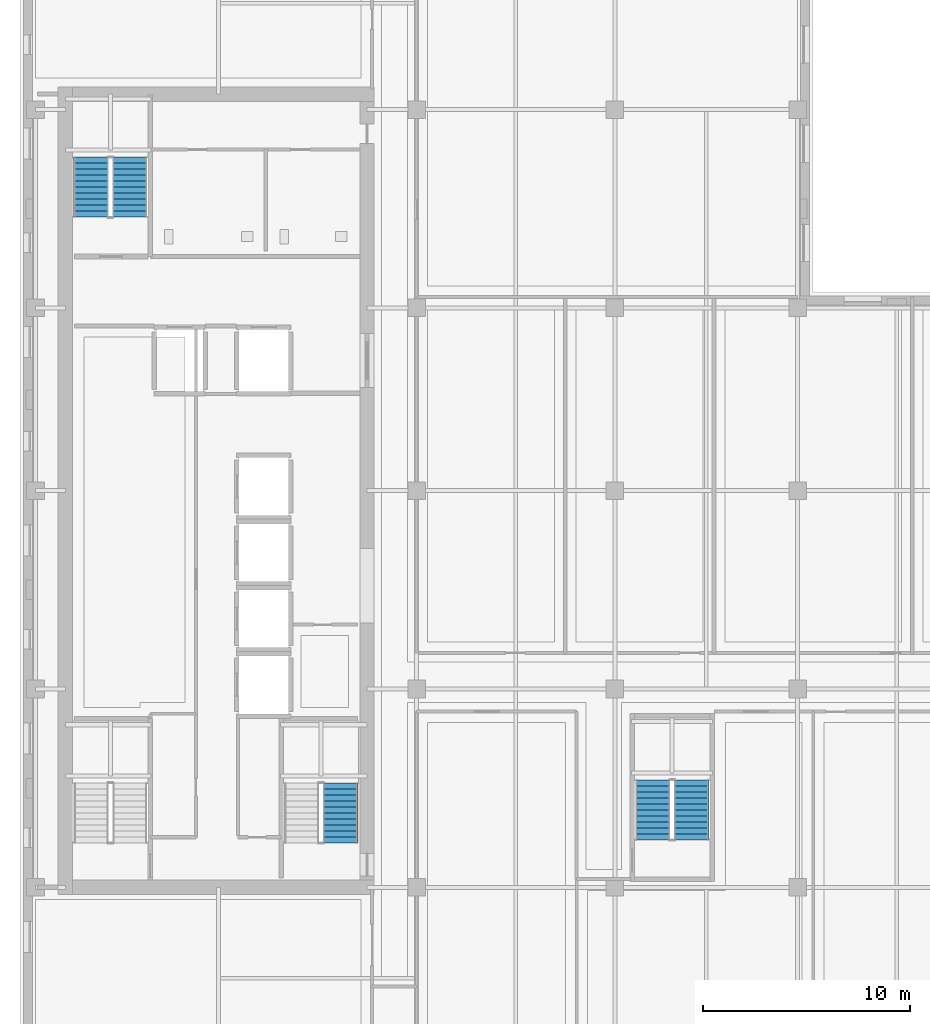
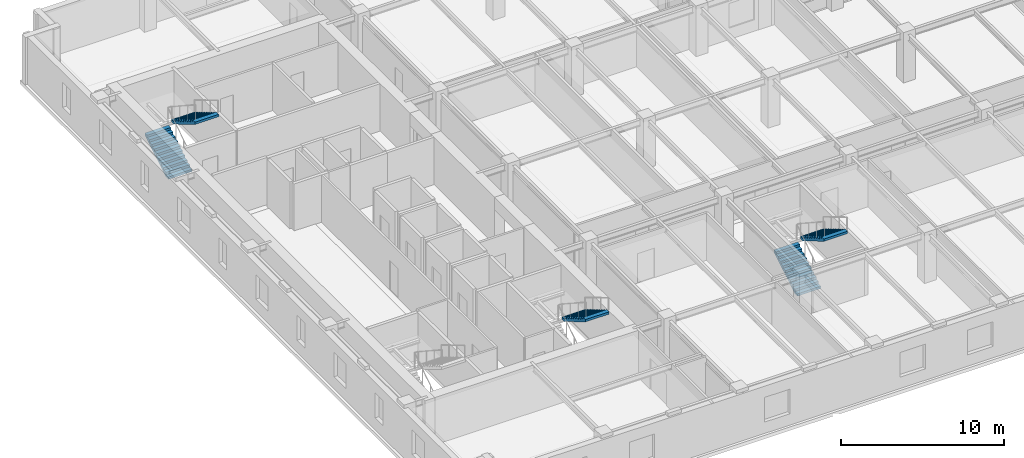
# One storey, part 7 of 11: 5 stair flights, 3 elements without a shape of their own.
"""IFC4 building model written with IfcOpenShell, lengths in metres."""

from ifc_helpers import new_model, si_unit, direction, frame, origin, place, context, subcontext, project, spatial, polyline, outline, extrude, material, type_object, element, aggregate, save


model = new_model("IFC4")

# Units and contexts
model_context = context("Model", 3, precision=1e-05, world=origin(), true_north=direction((0.0, 1.0)))
body_context = subcontext(model_context, "Body", "Model", "MODEL_VIEW")
ifc_project = project(units=[si_unit("LENGTHUNIT", "METRE"), si_unit("AREAUNIT", "SQUARE_METRE"), si_unit("VOLUMEUNIT", "CUBIC_METRE"), si_unit("PLANEANGLEUNIT", "RADIAN"), si_unit("MASSUNIT", "GRAM", prefix="KILO")], contexts=[model_context])

# Site, building, storey
site_placement = place(None, origin())
site = spatial("IfcSite", under=ifc_project, at=site_placement, CompositionType="ELEMENT")
building_placement = place(site_placement, origin())
building = spatial("IfcBuilding", under=site, at=building_placement, Name="Norrvale University Quadrangle", CompositionType="ELEMENT")
storey_placement = place(building_placement, frame((0.0, 0.0, 206.60009765625)))
storey = spatial("IfcBuildingStorey", under=building, at=storey_placement, Name="L52", CompositionType="ELEMENT", Elevation=206.60009765625)

# Stair, stair flights
ifc_material = material(Name="Concrete C40/50", Category="concrete")
stair_type = type_object("IfcStairType", Name="Stair Tower Typ 3800", PredefinedType="TWO_STRAIGHT_RUN_STAIR", material=ifc_material)
stair_1_placement = place(storey_placement, origin())
stair_1 = element("IfcStair", 1, at=stair_1_placement, inside=storey, type_object=stair_type, Name="Exit Stair ST-02 L52", PredefinedType="TWO_STRAIGHT_RUN_STAIR")
stair_flight_type = type_object("IfcStairFlightType", Name="Flight Typ 1500", PredefinedType="STRAIGHT", material=ifc_material)
stair_flight_1_placement = place(storey_placement, frame((3.429931640625, 42.050048828125, 0.0), z_axis=(0.0, 0.0, 1.0), x_axis=(0.0, 1.0, 0.0)))
stair_flight_1 = element("IfcStairFlight", 2, at=stair_flight_1_placement, type_object=stair_flight_type, Name="Exit Stair ST-02 L52 Lower Flight", NumberOfRisers=11, NumberOfTreads=10, PredefinedType="STRAIGHT", RiserHeight=0.172727, TreadLength=0.29, context=body_context, shape_type="SweptSolid", body=[
    extrude(outline(polyline([(0.0, 0.0), (0.0, 0.172607421875), (0.2900390625, 0.172607421875), (0.2900390625, 0.345458984375), (0.580078125, 0.345458984375), (0.580078125, 0.51806640625), (0.8701171875, 0.51806640625), (0.8701171875, 0.69091796875), (1.159912109375, 0.69091796875), (1.159912109375, 0.863525390625), (1.449951171875, 0.863525390625), (1.449951171875, 1.036376953125), (1.739990234375, 1.036376953125), (1.739990234375, 1.208984375), (2.030029296875, 1.208984375), (2.030029296875, 1.3818359375), (2.320068359375, 1.3818359375), (2.320068359375, 1.554443359375), (2.610107421875, 1.554443359375), (2.610107421875, 1.727294921875), (2.89990234375, 1.727294921875), (2.89990234375, 1.89990234375), (2.89990234375, 1.552734375), (0.29296875, 0.0), (0.0, 0.0)])), frame((0.0, 0.83984375, 0.0), z_axis=(0.0, -1.0, 0.0), x_axis=(1.0, 0.0, 0.0)), (0.0, 0.0, 1.0), 1.679931640625),
])
stair_flight_2_placement = place(storey_placement, frame((5.320068359375, 44.949951171875, 1.89990234375), z_axis=(0.0, 0.0, 1.0), x_axis=(0.0, -1.0, 0.0)))
stair_flight_2 = element("IfcStairFlight", 3, at=stair_flight_2_placement, type_object=stair_flight_type, Name="Exit Stair ST-02 L52 Upper Flight", NumberOfRisers=11, NumberOfTreads=10, PredefinedType="STRAIGHT", RiserHeight=0.172727, TreadLength=0.29, context=body_context, shape_type="SweptSolid", body=[
    extrude(outline(polyline([(0.0, 0.0), (0.0, 0.172607421875), (0.2900390625, 0.172607421875), (0.2900390625, 0.345458984375), (0.580078125, 0.345458984375), (0.580078125, 0.51806640625), (0.8701171875, 0.51806640625), (0.8701171875, 0.69091796875), (1.159912109375, 0.69091796875), (1.159912109375, 0.863525390625), (1.449951171875, 0.863525390625), (1.449951171875, 1.036376953125), (1.739990234375, 1.036376953125), (1.739990234375, 1.208984375), (2.030029296875, 1.208984375), (2.030029296875, 1.3818359375), (2.320068359375, 1.3818359375), (2.320068359375, 1.554443359375), (2.610107421875, 1.554443359375), (2.610107421875, 1.727294921875), (2.89990234375, 1.727294921875), (2.89990234375, 1.89990234375), (2.89990234375, 1.552734375), (0.29296875, 0.0), (0.0, 0.0)])), frame((0.0, 0.83984375, 0.0), z_axis=(0.0, -1.0, 0.0), x_axis=(1.0, 0.0, 0.0)), (0.0, 0.0, 1.0), 1.679931640625),
])
aggregate(stair_1, [stair_flight_1, stair_flight_2])

# Stair, stair flight
stair_2_placement = place(storey_placement, origin())
stair_2 = element("IfcStair", 4, at=stair_2_placement, inside=storey, type_object=stair_type, Name="Exit Stair ST-03 L52", PredefinedType="TWO_STRAIGHT_RUN_STAIR")
stair_flight_3_placement = place(storey_placement, frame((15.52001953125, 14.64990234375, 1.89990234375), z_axis=(0.0, 0.0, 1.0), x_axis=(0.0, -1.0, 0.0)))
stair_flight_3 = element("IfcStairFlight", 5, at=stair_flight_3_placement, type_object=stair_flight_type, Name="Exit Stair ST-03 L52 Upper Flight", NumberOfRisers=11, NumberOfTreads=10, PredefinedType="STRAIGHT", RiserHeight=0.172727, TreadLength=0.29, context=body_context, shape_type="SweptSolid", body=[
    extrude(outline(polyline([(0.0, 0.0), (0.0, 0.172607421875), (0.2900390625, 0.172607421875), (0.2900390625, 0.345458984375), (0.580078125, 0.345458984375), (0.580078125, 0.51806640625), (0.8701171875, 0.51806640625), (0.8701171875, 0.69091796875), (1.159912109375, 0.69091796875), (1.159912109375, 0.863525390625), (1.449951171875, 0.863525390625), (1.449951171875, 1.036376953125), (1.739990234375, 1.036376953125), (1.739990234375, 1.208984375), (2.030029296875, 1.208984375), (2.030029296875, 1.3818359375), (2.320068359375, 1.3818359375), (2.320068359375, 1.554443359375), (2.610107421875, 1.554443359375), (2.610107421875, 1.727294921875), (2.89990234375, 1.727294921875), (2.89990234375, 1.89990234375), (2.89990234375, 1.552734375), (0.29296875, 0.0), (0.0, 0.0)])), frame((0.0, 0.83984375, 0.0), z_axis=(0.0, -1.0, 0.0), x_axis=(1.0, 0.0, 0.0)), (0.0, 0.0, 1.0), 1.679931640625),
])
aggregate(stair_2, [stair_flight_3])

# Stair, stair flights
stair_3_placement = place(storey_placement, origin())
stair_3 = element("IfcStair", 6, at=stair_3_placement, inside=storey, type_object=stair_type, Name="Exit Stair ST-04 L52", PredefinedType="TWO_STRAIGHT_RUN_STAIR")
stair_flight_4_placement = place(storey_placement, frame((30.6298828125, 11.89990234375, 0.0), z_axis=(0.0, 0.0, 1.0), x_axis=(0.0, 1.0, 0.0)))
stair_flight_4 = element("IfcStairFlight", 7, at=stair_flight_4_placement, type_object=stair_flight_type, Name="Exit Stair ST-04 L52 Lower Flight", NumberOfRisers=11, NumberOfTreads=10, PredefinedType="STRAIGHT", RiserHeight=0.172727, TreadLength=0.29, context=body_context, shape_type="SweptSolid", body=[
    extrude(outline(polyline([(0.0, 0.0), (0.0, 0.172607421875), (0.2900390625, 0.172607421875), (0.2900390625, 0.345458984375), (0.580078125, 0.345458984375), (0.580078125, 0.51806640625), (0.8701171875, 0.51806640625), (0.8701171875, 0.69091796875), (1.159912109375, 0.69091796875), (1.159912109375, 0.863525390625), (1.449951171875, 0.863525390625), (1.449951171875, 1.036376953125), (1.739990234375, 1.036376953125), (1.739990234375, 1.208984375), (2.030029296875, 1.208984375), (2.030029296875, 1.3818359375), (2.320068359375, 1.3818359375), (2.320068359375, 1.554443359375), (2.610107421875, 1.554443359375), (2.610107421875, 1.727294921875), (2.89990234375, 1.727294921875), (2.89990234375, 1.89990234375), (2.89990234375, 1.552734375), (0.29296875, 0.0), (0.0, 0.0)])), frame((0.0, 0.83984375, 0.0), z_axis=(0.0, -1.0, 0.0), x_axis=(1.0, 0.0, 0.0)), (0.0, 0.0, 1.0), 1.679931640625),
])
stair_flight_5_placement = place(storey_placement, frame((32.52001953125, 14.800048828125, 1.89990234375), z_axis=(0.0, 0.0, 1.0), x_axis=(0.0, -1.0, 0.0)))
stair_flight_5 = element("IfcStairFlight", 8, at=stair_flight_5_placement, type_object=stair_flight_type, Name="Exit Stair ST-04 L52 Upper Flight", NumberOfRisers=11, NumberOfTreads=10, PredefinedType="STRAIGHT", RiserHeight=0.172727, TreadLength=0.29, context=body_context, shape_type="SweptSolid", body=[
    extrude(outline(polyline([(0.0, 0.0), (0.0, 0.172607421875), (0.2900390625, 0.172607421875), (0.2900390625, 0.345458984375), (0.580078125, 0.345458984375), (0.580078125, 0.51806640625), (0.8701171875, 0.51806640625), (0.8701171875, 0.69091796875), (1.159912109375, 0.69091796875), (1.159912109375, 0.863525390625), (1.449951171875, 0.863525390625), (1.449951171875, 1.036376953125), (1.739990234375, 1.036376953125), (1.739990234375, 1.208984375), (2.030029296875, 1.208984375), (2.030029296875, 1.3818359375), (2.320068359375, 1.3818359375), (2.320068359375, 1.554443359375), (2.610107421875, 1.554443359375), (2.610107421875, 1.727294921875), (2.89990234375, 1.727294921875), (2.89990234375, 1.89990234375), (2.89990234375, 1.552734375), (0.29296875, 0.0), (0.0, 0.0)])), frame((0.0, 0.83984375, 0.0), z_axis=(0.0, -1.0, 0.0), x_axis=(1.0, 0.0, 0.0)), (0.0, 0.0, 1.0), 1.679931640625),
])
aggregate(stair_3, [stair_flight_4, stair_flight_5])

save(model, "model.ifc")
